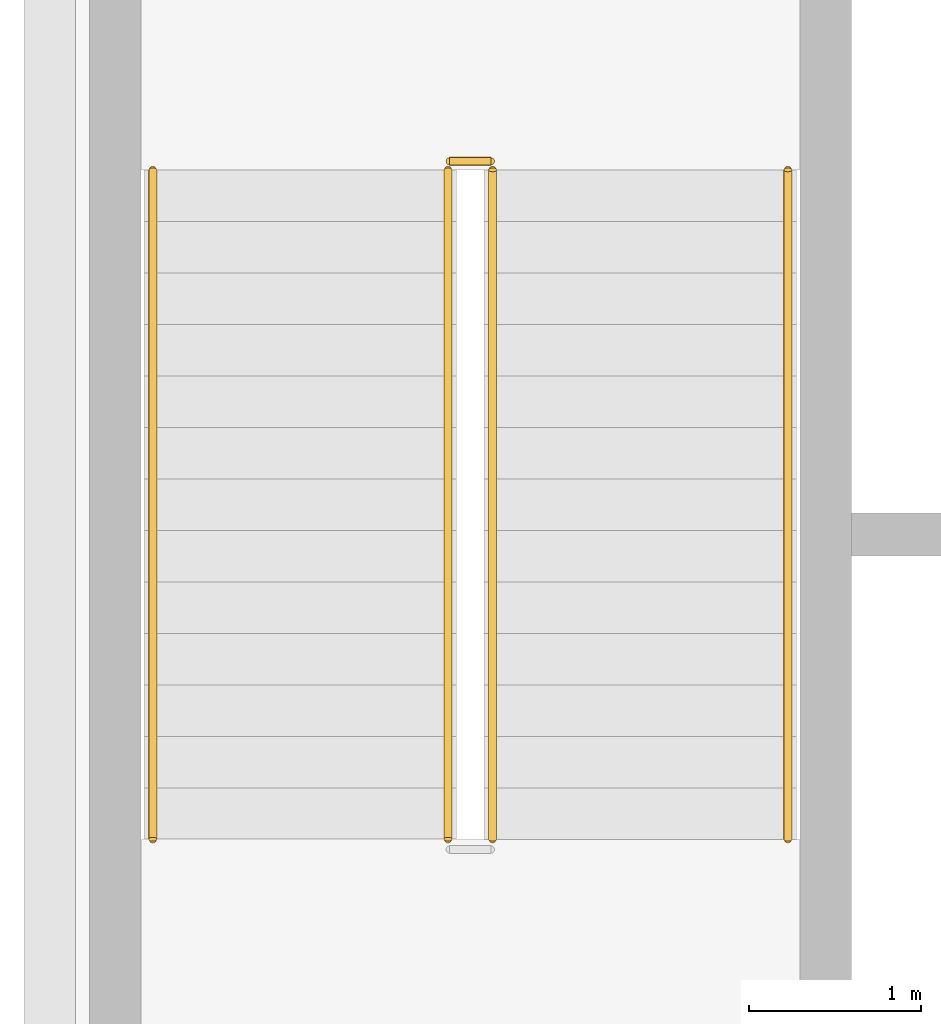
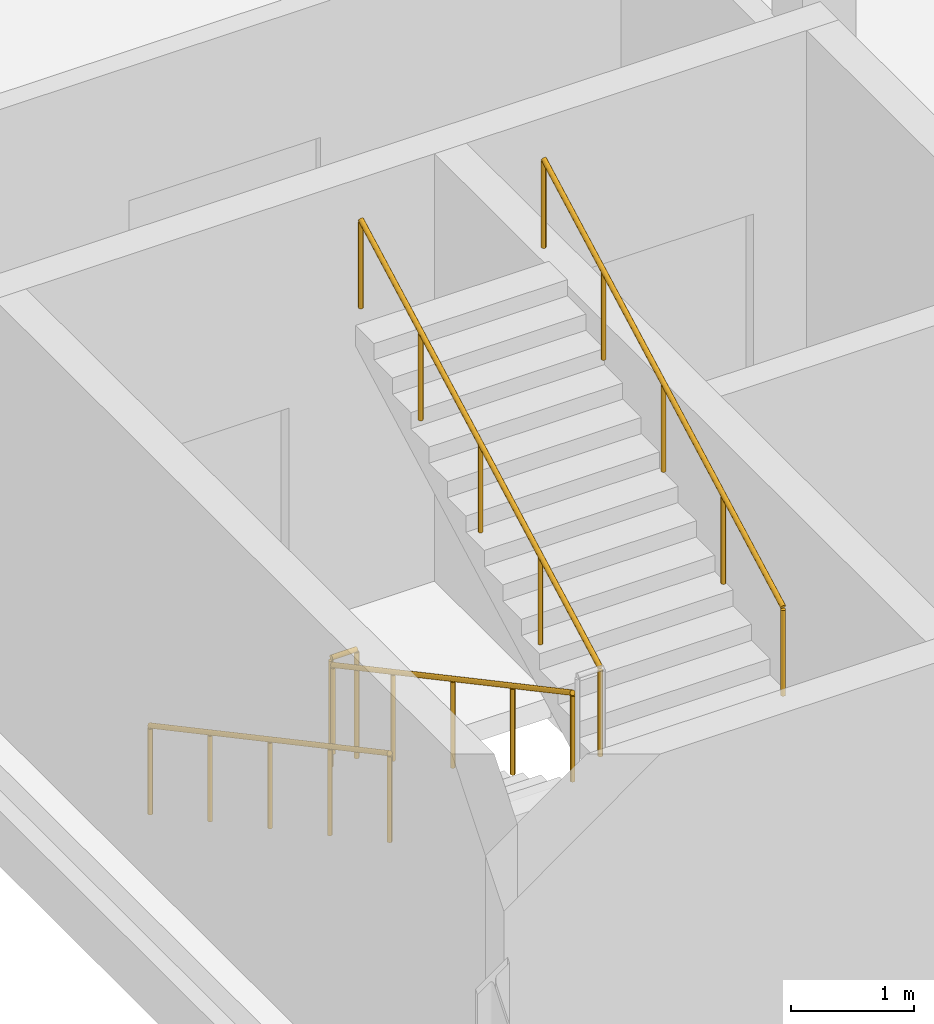
# One storey, part 107 of 109: 5 railings.
"""IFC4 building model written with IfcOpenShell, lengths in metres."""

from ifc_helpers import new_model, si_unit, direction, frame, origin, origin_2d, place, context, subcontext, project, spatial, circle, extrude, material, type_object, element, save


model = new_model("IFC4")

# Units and contexts
model_context = context("Model", 3, precision=1e-05, world=origin(), true_north=direction((0.0, 1.0)))
body_context = subcontext(model_context, "Body", "Model", "MODEL_VIEW")
ifc_project = project(units=[si_unit("LENGTHUNIT", "METRE"), si_unit("AREAUNIT", "SQUARE_METRE"), si_unit("VOLUMEUNIT", "CUBIC_METRE"), si_unit("PLANEANGLEUNIT", "RADIAN"), si_unit("MASSUNIT", "GRAM", prefix="KILO")], contexts=[model_context])

# Site, building, storey
site_placement = place(None, origin())
site = spatial("IfcSite", under=ifc_project, at=site_placement, CompositionType="ELEMENT")
building_placement = place(site_placement, origin())
building = spatial("IfcBuilding", under=site, at=building_placement, Name="Veltarok Museum of Natural Sciences", CompositionType="ELEMENT")
storey_placement = place(building_placement, frame((0.0, 0.0, 17.39990234375)))
storey = spatial("IfcBuildingStorey", under=building, at=storey_placement, Name="L03", CompositionType="ELEMENT", Elevation=17.39990234375)

# Railings
ifc_material = material(Name="Steel S355J2", Category="steel")
railing_type_1 = type_object("IfcRailingType", Name="Interior Atrium and Stairwell Guardrail 1100", PredefinedType="GUARDRAIL", material=ifc_material)
railing_placement = place(storey_placement, frame((134.72998046875, 33.35009765625, 0.0)))
element("IfcRailing", 1, at=railing_placement, inside=storey, type_object=railing_type_1, Name="Stairwell Floor Guard ST-05 L03", PredefinedType="GUARDRAIL", context=body_context, shape_type="SweptSolid", body=[
    extrude(circle(Radius=0.02392578125, at=origin_2d()), frame((0.0, 0.0, 1.076171875), z_axis=(1.0, 0.0, 0.0), x_axis=(0.0, 1.0, 0.0)), (0.0, 0.0, 1.0), 0.239990234375),
    extrude(circle(Radius=0.02099609375, at=origin_2d()), origin(), (0.0, 0.0, 1.0), 1.052001953125),
    extrude(circle(Radius=0.02099609375, at=origin_2d()), frame((0.239990234375, 0.0, 0.0)), (0.0, 0.0, 1.0), 1.052001953125),
])
railing_type_2 = type_object("IfcRailingType", Name="Stair Flight Tubular Steel Handrail 900", PredefinedType="HANDRAIL", material=ifc_material)
for number, where, name in (
    (2, (133.0, 33.300048828125, 0.160888671875), "Stair Handrail ST-05-L03-F1L"),
    (3, (134.719970703125, 33.300048828125, 0.160888671875), "Stair Handrail ST-05-L03-F1R"),
):
    element("IfcRailing", number, at=place(storey_placement, frame(where)), inside=storey, type_object=railing_type_2, Name=name, PredefinedType="HANDRAIL", context=body_context, shape_type="SweptSolid", body=[
        extrude(circle(Radius=0.02392578125, at=origin_2d()), frame((0.0, 0.0, 0.8759765625), z_axis=(0.0, -0.881503758195, 0.472177005251), x_axis=(1.0, 0.0, 0.0)), (0.0, 0.0, 1.0), 4.42431640625),
        extrude(circle(Radius=0.02099609375, at=origin_2d()), origin(), (0.0, 0.0, 1.0), 0.851806640625),
        extrude(circle(Radius=0.02099609375, at=origin_2d()), frame((0.0, -0.97509765625, 0.522216796875)), (0.0, 0.0, 1.0), 0.851806640625),
        extrude(circle(Radius=0.02099609375, at=origin_2d()), frame((0.0, -1.9501953125, 1.04443359375)), (0.0, 0.0, 1.0), 0.851806640625),
        extrude(circle(Radius=0.02099609375, at=origin_2d()), frame((0.0, -2.925048828125, 1.56689453125)), (0.0, 0.0, 1.0), 0.851806640625),
        extrude(circle(Radius=0.02099609375, at=origin_2d()), frame((0.0, -3.900146484375, 2.089111328125)), (0.0, 0.0, 1.0), 0.851806640625),
    ])
for number, where, name in (
    (4, (134.97998046875, 29.39990234375, 2.410888671875), "Stair Handrail ST-05-L03-F2L"),
    (5, (136.699951171875, 29.39990234375, 2.410888671875), "Stair Handrail ST-05-L03-F2R"),
):
    element("IfcRailing", number, at=place(storey_placement, frame(where)), inside=storey, type_object=railing_type_2, Name=name, PredefinedType="HANDRAIL", context=body_context, shape_type="SweptSolid", body=[
        extrude(circle(Radius=0.02392578125, at=origin_2d()), frame((0.0, 0.0, 0.8759765625), z_axis=(0.0, 0.881503758195, 0.472177005251), x_axis=(-1.0, 0.0, 0.0)), (0.0, 0.0, 1.0), 4.42431640625),
        extrude(circle(Radius=0.02099609375, at=origin_2d()), origin(), (0.0, 0.0, 1.0), 0.851806640625),
        extrude(circle(Radius=0.02099609375, at=origin_2d()), frame((0.0, 0.97509765625, 0.522216796875)), (0.0, 0.0, 1.0), 0.851806640625),
        extrude(circle(Radius=0.02099609375, at=origin_2d()), frame((0.0, 1.9501953125, 1.04443359375)), (0.0, 0.0, 1.0), 0.851806640625),
        extrude(circle(Radius=0.02099609375, at=origin_2d()), frame((0.0, 2.925048828125, 1.56689453125)), (0.0, 0.0, 1.0), 0.851806640625),
        extrude(circle(Radius=0.02099609375, at=origin_2d()), frame((0.0, 3.900146484375, 2.089111328125)), (0.0, 0.0, 1.0), 0.851806640625),
    ])

save(model, "model.ifc")
